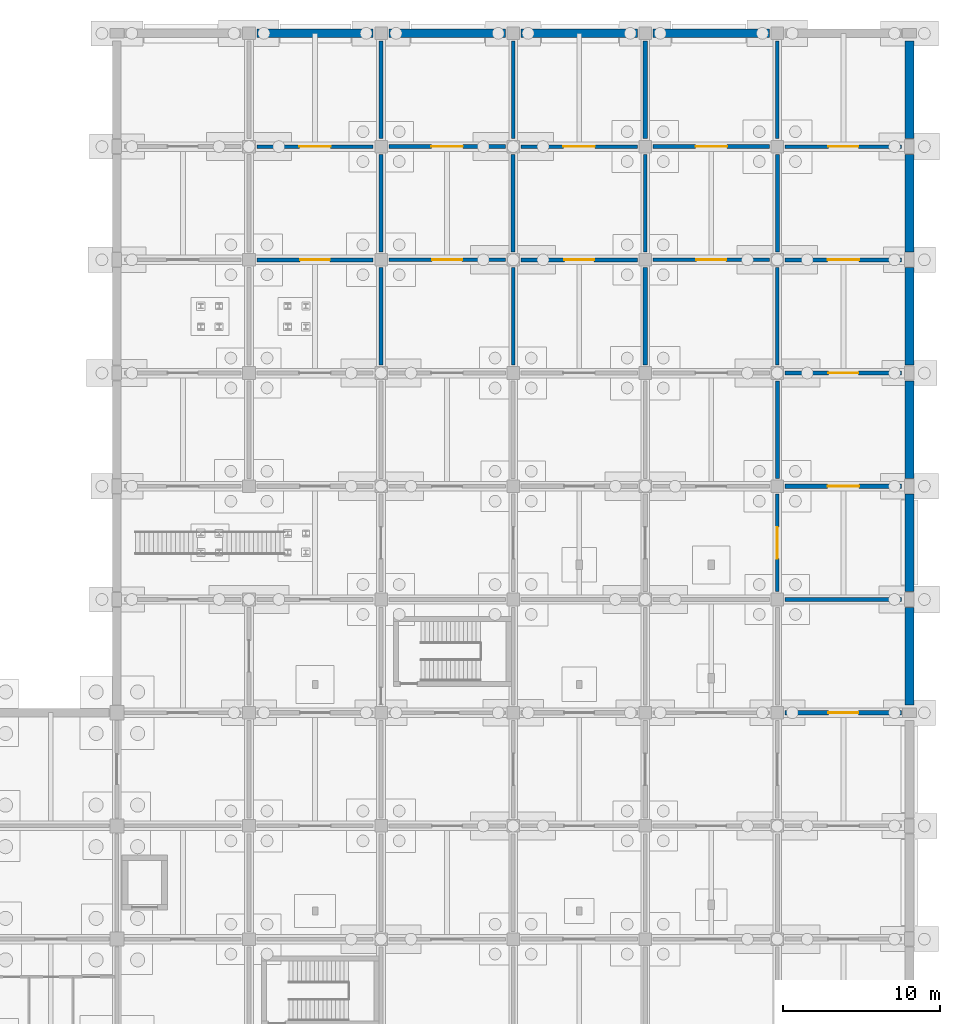
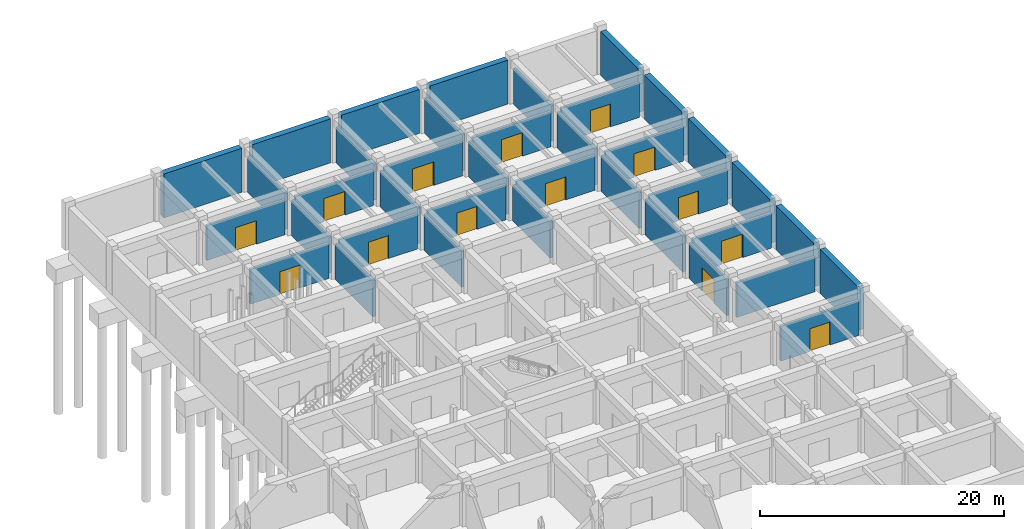
# One storey, part 35 of 38: 38 walls, 14 doors, 14 openings.
"""IFC4 building model written with IfcOpenShell, lengths in metres."""

from ifc_helpers import new_model, si_unit, derived_unit, direction, frame, frame_2d, origin, place, context, subcontext, project, spatial, rectangle, extrude, material, layer, layer_set, type_object, element, fill, save


model = new_model("IFC4")

# Units and contexts
model_context = context("Model", 3, precision=1e-05, world=origin(), true_north=direction((0.0, 1.0)))
body_context = subcontext(model_context, "Body", "Model", "MODEL_VIEW")
ifc_project = project(units=[si_unit("LENGTHUNIT", "METRE"), si_unit("AREAUNIT", "SQUARE_METRE"), si_unit("VOLUMEUNIT", "CUBIC_METRE"), si_unit("PLANEANGLEUNIT", "RADIAN"), si_unit("MASSUNIT", "GRAM", prefix="KILO"), derived_unit("THERMALTRANSMITTANCEUNIT", [(si_unit("MASSUNIT", "GRAM", prefix="KILO"), 1), (si_unit("TIMEUNIT", "SECOND"), -3), (si_unit("THERMODYNAMICTEMPERATUREUNIT", "KELVIN"), -1)])], contexts=[model_context])

# Site, building, storey
site_placement = place(None, origin())
site = spatial("IfcSite", under=ifc_project, at=site_placement, CompositionType="ELEMENT")
building_placement = place(site_placement, origin())
building = spatial("IfcBuilding", under=site, at=building_placement, Name="Veldstrom Oceanarium and Marine Research Institute", CompositionType="ELEMENT")
storey_placement = place(building_placement, frame((0.0, 0.0, -9.60009765625)))
storey = spatial("IfcBuildingStorey", under=building, at=storey_placement, Name="B02", CompositionType="ELEMENT", Elevation=-9.60009765625)

# Wall
ifc_material_1 = material(Name="Masonry Fire Compartment Wall", Category="masonry")
ifc_layer_1 = layer(ifc_material_1, 0.22998046875)
ifc_layer_set_1 = layer_set([ifc_layer_1], Name="ARC-WAL-PT1")
wall_type_1 = type_object("IfcWallType", Name="ARC-WAL-PT1", PredefinedType="PARTITIONING", material=ifc_layer_set_1)
wall_1_placement = place(storey_placement, frame((134.39990234375, 101.300048828125, 0.0), z_axis=(0.0, 0.0, 1.0), x_axis=(0.0, 1.0, 0.0)))
element("IfcWall", 1, at=wall_1_placement, inside=storey, type_object=wall_type_1, Name="Interior Partition PT1 B02-0223", PredefinedType="PARTITIONING", context=body_context, shape_type="SweptSolid", body=[
    extrude(rectangle(XDim=6.199951171875, YDim=0.22998046875, at=frame_2d((3.10009765625, 0.0))), origin(), (0.0, 0.0, 1.0), 3.59521484375),
])

# Wall, opening, door
wall_2_placement = place(storey_placement, frame((126.5, 108.0, 0.0), z_axis=(0.0, 0.0, 1.0), x_axis=(1.0, 0.0, 0.0)))
wall_2 = element("IfcWall", 2, at=wall_2_placement, inside=storey, type_object=wall_type_1, Name="Interior Partition PT1 B02-0224", PredefinedType="PARTITIONING", context=body_context, shape_type="SweptSolid", body=[
    extrude(rectangle(XDim=7.39990234375, YDim=0.22998046875, at=frame_2d((3.699951171875, 0.0))), origin(), (0.0, 0.0, 1.0), 3.4951171875),
])
opening_1_placement = place(wall_2_placement, frame((2.699951171875, 0.0, 0.0)))
opening_1 = element("IfcOpeningElement", 3, at=opening_1_placement, cuts=wall_2, Name="Opening D-B02-131", PredefinedType="OPENING", context=body_context, shape_type="SweptSolid", body=[
    extrude(rectangle(XDim=2.0, YDim=2.35009765625, at=frame_2d((1.0, 1.175048828125))), frame((0.0, 0.125, 0.0), z_axis=(0.0, -1.0, 0.0), x_axis=(1.0, 0.0, 0.0)), (0.0, 0.0, 1.0), 0.25),
])
ifc_material_2 = material(Name="Filtration Hall Double Door", Category="steel")
door_type_1 = type_object("IfcDoorType", Name="ARC-DOR-ID18", OperationType="DOUBLE_DOOR_SINGLE_SWING", PredefinedType="DOOR", material=ifc_material_2)
door_1_placement = place(opening_1_placement, frame((2.0, 0.0, 0.0), z_axis=(0.0, 0.0, 1.0), x_axis=(-1.0, 0.0, 0.0)))
door_1 = element("IfcDoor", 4, at=door_1_placement, inside=storey, type_object=door_type_1, Name="Interior Door D-B02-131", OperationType="DOUBLE_DOOR_SINGLE_SWING", OverallHeight=2.35009765625, OverallWidth=2.0, PredefinedType="DOOR", context=body_context, shape_type="SweptSolid", body=[
    extrude(rectangle(XDim=2.0, YDim=2.35009765625, at=frame_2d((1.0, 1.175048828125))), frame((0.0, 0.02490234375, 0.0), z_axis=(0.0, -1.0, 0.0), x_axis=(1.0, 0.0, 0.0)), (0.0, 0.0, 1.0), 0.050048828125),
])
fill(opening_1, door_1)

# Wall
wall_3_placement = place(storey_placement, frame((142.800048828125, 94.10009765625, 0.0), z_axis=(0.0, 0.0, 1.0), x_axis=(0.0, 1.0, 0.0)))
element("IfcWall", 5, at=wall_3_placement, inside=storey, type_object=wall_type_1, Name="Interior Partition PT1 B02-0240", PredefinedType="PARTITIONING", context=body_context, shape_type="SweptSolid", body=[
    extrude(rectangle(XDim=6.199951171875, YDim=0.22998046875, at=frame_2d((3.10009765625, 0.0))), origin(), (0.0, 0.0, 1.0), 3.59521484375),
])

# Wall, opening, door
wall_4_placement = place(storey_placement, frame((134.89990234375, 100.800048828125, 0.0), z_axis=(0.0, 0.0, 1.0), x_axis=(1.0, 0.0, 0.0)))
wall_4 = element("IfcWall", 6, at=wall_4_placement, inside=storey, type_object=wall_type_1, Name="Interior Partition PT1 B02-0241", PredefinedType="PARTITIONING", context=body_context, shape_type="SweptSolid", body=[
    extrude(rectangle(XDim=7.400146484375, YDim=0.22998046875, at=frame_2d((3.7001953125, 0.0))), origin(), (0.0, 0.0, 1.0), 3.4951171875),
])
opening_2_placement = place(wall_4_placement, frame((2.75, 0.0, 0.0)))
opening_2 = element("IfcOpeningElement", 7, at=opening_2_placement, cuts=wall_4, Name="Opening D-B02-140", PredefinedType="OPENING", context=body_context, shape_type="SweptSolid", body=[
    extrude(rectangle(XDim=1.89990234375, YDim=2.300048828125, at=frame_2d((0.949951171875, 1.14990234375))), frame((0.0, 0.125, 0.0), z_axis=(0.0, -1.0, 0.0), x_axis=(1.0, 0.0, 0.0)), (0.0, 0.0, 1.0), 0.25),
])
ifc_material_3 = material(Name="Plant Hall Equipment Door", Category="steel")
door_type_2 = type_object("IfcDoorType", Name="ARC-DOR-ID12", OperationType="DOUBLE_DOOR_SINGLE_SWING", PredefinedType="DOOR", material=ifc_material_3)
door_2_placement = place(opening_2_placement, frame((1.89990234375, 0.0, 0.0), z_axis=(0.0, 0.0, 1.0), x_axis=(-1.0, 0.0, 0.0)))
door_2 = element("IfcDoor", 8, at=door_2_placement, inside=storey, type_object=door_type_2, Name="Interior Door D-B02-140", OperationType="DOUBLE_DOOR_SINGLE_SWING", OverallHeight=2.300048828125, OverallWidth=1.89990234375, PredefinedType="DOOR", context=body_context, shape_type="SweptSolid", body=[
    extrude(rectangle(XDim=1.89990234375, YDim=2.300048828125, at=frame_2d((0.949951171875, 1.14990234375))), frame((0.0, 0.02490234375, 0.0), z_axis=(0.0, -1.0, 0.0), x_axis=(1.0, 0.0, 0.0)), (0.0, 0.0, 1.0), 0.050048828125),
])
fill(opening_2, door_2)

# Walls
for number, where, z_axis, x_axis, name in (
    (9, (142.800048828125, 108.5, 0.0), (0.0, 0.0, 1.0), (0.0, 1.0, 0.0), "Interior Partition PT1 B02-0244"),
    (10, (151.199951171875, 101.300048828125, 0.0), (0.0, 0.0, 1.0), (0.0, 1.0, 0.0), "Interior Partition PT1 B02-0261"),
):
    element("IfcWall", number, at=place(storey_placement, frame(where, z_axis=z_axis, x_axis=x_axis)), inside=storey, type_object=wall_type_1, Name=name, PredefinedType="PARTITIONING", context=body_context, shape_type="SweptSolid", body=[
        extrude(rectangle(XDim=6.199951171875, YDim=0.22998046875, at=frame_2d((3.10009765625, 0.0))), origin(), (0.0, 0.0, 1.0), 3.59521484375),
    ])

# Wall, opening, door
wall_5_placement = place(storey_placement, frame((143.300048828125, 108.0, 0.0), z_axis=(0.0, 0.0, 1.0), x_axis=(1.0, 0.0, 0.0)))
wall_5 = element("IfcWall", 11, at=wall_5_placement, inside=storey, type_object=wall_type_1, Name="Interior Partition PT1 B02-0262", PredefinedType="PARTITIONING", context=body_context, shape_type="SweptSolid", body=[
    extrude(rectangle(XDim=7.39990234375, YDim=0.22998046875, at=frame_2d((3.699951171875, 0.0))), origin(), (0.0, 0.0, 1.0), 3.4951171875),
])
opening_3_placement = place(wall_5_placement, frame((2.699951171875, 0.0, 0.0)))
opening_3 = element("IfcOpeningElement", 12, at=opening_3_placement, cuts=wall_5, Name="Opening D-B02-151", PredefinedType="OPENING", context=body_context, shape_type="SweptSolid", body=[
    extrude(rectangle(XDim=2.0, YDim=2.35009765625, at=frame_2d((1.0, 1.175048828125))), frame((0.0, 0.125, 0.0), z_axis=(0.0, -1.0, 0.0), x_axis=(1.0, 0.0, 0.0)), (0.0, 0.0, 1.0), 0.25),
])
door_3_placement = place(opening_3_placement, frame((2.0, 0.0, 0.0), z_axis=(0.0, 0.0, 1.0), x_axis=(-1.0, 0.0, 0.0)))
door_3 = element("IfcDoor", 13, at=door_3_placement, inside=storey, type_object=door_type_1, Name="Interior Door D-B02-151", OperationType="DOUBLE_DOOR_SINGLE_SWING", OverallHeight=2.35009765625, OverallWidth=2.0, PredefinedType="DOOR", context=body_context, shape_type="SweptSolid", body=[
    extrude(rectangle(XDim=2.0, YDim=2.35009765625, at=frame_2d((1.0, 1.175048828125))), frame((0.0, 0.02490234375, 0.0), z_axis=(0.0, -1.0, 0.0), x_axis=(1.0, 0.0, 0.0)), (0.0, 0.0, 1.0), 0.050048828125),
])
fill(opening_3, door_3)

wall_6_placement = place(storey_placement, frame((159.60009765625, 79.699951171875, 0.0), z_axis=(0.0, 0.0, 1.0), x_axis=(0.0, 1.0, 0.0)))
wall_6 = element("IfcWall", 14, at=wall_6_placement, inside=storey, type_object=wall_type_1, Name="Interior Partition PT1 B02-0274", PredefinedType="PARTITIONING", context=body_context, shape_type="SweptSolid", body=[
    extrude(rectangle(XDim=6.199951171875, YDim=0.22998046875, at=frame_2d((3.10009765625, 0.0))), origin(), (0.0, 0.0, 1.0), 3.59521484375),
])
opening_4_placement = place(wall_6_placement, frame((2.10009765625, 0.0, 0.0)))
opening_4 = element("IfcOpeningElement", 15, at=opening_4_placement, cuts=wall_6, Name="Opening D-B02-157", PredefinedType="OPENING", context=body_context, shape_type="SweptSolid", body=[
    extrude(rectangle(XDim=2.0, YDim=2.35009765625, at=frame_2d((1.0, 1.175048828125))), frame((0.0, 0.125, 0.0), z_axis=(0.0, -1.0, 0.0), x_axis=(1.0, 0.0, 0.0)), (0.0, 0.0, 1.0), 0.25),
])
door_4_placement = place(opening_4_placement, origin())
door_4 = element("IfcDoor", 16, at=door_4_placement, inside=storey, type_object=door_type_1, Name="Interior Door D-B02-157", OperationType="DOUBLE_DOOR_SINGLE_SWING", OverallHeight=2.35009765625, OverallWidth=2.0, PredefinedType="DOOR", context=body_context, shape_type="SweptSolid", body=[
    extrude(rectangle(XDim=2.0, YDim=2.35009765625, at=frame_2d((1.0, 1.175048828125))), frame((0.0, 0.02490234375, 0.0), z_axis=(0.0, -1.0, 0.0), x_axis=(1.0, 0.0, 0.0)), (0.0, 0.0, 1.0), 0.050048828125),
])
fill(opening_4, door_4)

# Wall
wall_7_placement = place(storey_placement, frame((159.60009765625, 94.10009765625, 0.0), z_axis=(0.0, 0.0, 1.0), x_axis=(0.0, 1.0, 0.0)))
element("IfcWall", 17, at=wall_7_placement, inside=storey, type_object=wall_type_1, Name="Interior Partition PT1 B02-0278", PredefinedType="PARTITIONING", context=body_context, shape_type="SweptSolid", body=[
    extrude(rectangle(XDim=6.199951171875, YDim=0.22998046875, at=frame_2d((3.10009765625, 0.0))), origin(), (0.0, 0.0, 1.0), 3.59521484375),
])

# Wall, opening, door
wall_8_placement = place(storey_placement, frame((151.699951171875, 100.800048828125, 0.0), z_axis=(0.0, 0.0, 1.0), x_axis=(1.0, 0.0, 0.0)))
wall_8 = element("IfcWall", 18, at=wall_8_placement, inside=storey, type_object=wall_type_1, Name="Interior Partition PT1 B02-0279", PredefinedType="PARTITIONING", context=body_context, shape_type="SweptSolid", body=[
    extrude(rectangle(XDim=7.400146484375, YDim=0.22998046875, at=frame_2d((3.7001953125, 0.0))), origin(), (0.0, 0.0, 1.0), 3.4951171875),
])
opening_5_placement = place(wall_8_placement, frame((2.75, 0.0, 0.0)))
opening_5 = element("IfcOpeningElement", 19, at=opening_5_placement, cuts=wall_8, Name="Opening D-B02-160", PredefinedType="OPENING", context=body_context, shape_type="SweptSolid", body=[
    extrude(rectangle(XDim=1.89990234375, YDim=2.300048828125, at=frame_2d((0.949951171875, 1.14990234375))), frame((0.0, 0.125, 0.0), z_axis=(0.0, -1.0, 0.0), x_axis=(1.0, 0.0, 0.0)), (0.0, 0.0, 1.0), 0.25),
])
door_5_placement = place(opening_5_placement, frame((1.89990234375, 0.0, 0.0), z_axis=(0.0, 0.0, 1.0), x_axis=(-1.0, 0.0, 0.0)))
door_5 = element("IfcDoor", 20, at=door_5_placement, inside=storey, type_object=door_type_2, Name="Interior Door D-B02-160", OperationType="DOUBLE_DOOR_SINGLE_SWING", OverallHeight=2.300048828125, OverallWidth=1.89990234375, PredefinedType="DOOR", context=body_context, shape_type="SweptSolid", body=[
    extrude(rectangle(XDim=1.89990234375, YDim=2.300048828125, at=frame_2d((0.949951171875, 1.14990234375))), frame((0.0, 0.02490234375, 0.0), z_axis=(0.0, -1.0, 0.0), x_axis=(1.0, 0.0, 0.0)), (0.0, 0.0, 1.0), 0.050048828125),
])
fill(opening_5, door_5)

# Walls
wall_9_placement = place(storey_placement, frame((159.60009765625, 108.5, 0.0), z_axis=(0.0, 0.0, 1.0), x_axis=(0.0, 1.0, 0.0)))
element("IfcWall", 21, at=wall_9_placement, inside=storey, type_object=wall_type_1, Name="Interior Partition PT1 B02-0282", PredefinedType="PARTITIONING", context=body_context, shape_type="SweptSolid", body=[
    extrude(rectangle(XDim=6.199951171875, YDim=0.22998046875, at=frame_2d((3.10009765625, 0.0))), origin(), (0.0, 0.0, 1.0), 3.59521484375),
])
wall_10_placement = place(storey_placement, frame((160.10009765625, 79.199951171875, 0.0), z_axis=(0.0, 0.0, 1.0), x_axis=(1.0, 0.0, 0.0)))
element("IfcWall", 22, at=wall_10_placement, inside=storey, type_object=wall_type_1, Name="Interior Partition PT1 B02-0287", PredefinedType="PARTITIONING", context=body_context, shape_type="SweptSolid", body=[
    extrude(rectangle(XDim=7.39990234375, YDim=0.22998046875, at=frame_2d((3.699951171875, 0.0))), origin(), (0.0, 0.0, 1.0), 3.4951171875),
])

# Wall, opening, door
wall_11_placement = place(storey_placement, frame((160.10009765625, 93.60009765625, 0.0), z_axis=(0.0, 0.0, 1.0), x_axis=(1.0, 0.0, 0.0)))
wall_11 = element("IfcWall", 23, at=wall_11_placement, inside=storey, type_object=wall_type_1, Name="Interior Partition PT1 B02-0289", PredefinedType="PARTITIONING", context=body_context, shape_type="SweptSolid", body=[
    extrude(rectangle(XDim=7.39990234375, YDim=0.22998046875, at=frame_2d((3.699951171875, 0.0))), origin(), (0.0, 0.0, 1.0), 3.4951171875),
])
opening_6_placement = place(wall_11_placement, frame((2.75, 0.0, 0.0)))
opening_6 = element("IfcOpeningElement", 24, at=opening_6_placement, cuts=wall_11, Name="Opening D-B02-166", PredefinedType="OPENING", context=body_context, shape_type="SweptSolid", body=[
    extrude(rectangle(XDim=1.89990234375, YDim=2.300048828125, at=frame_2d((0.949951171875, 1.14990234375))), frame((0.0, 0.125, 0.0), z_axis=(0.0, -1.0, 0.0), x_axis=(1.0, 0.0, 0.0)), (0.0, 0.0, 1.0), 0.25),
])
door_6_placement = place(opening_6_placement, frame((1.89990234375, 0.0, 0.0), z_axis=(0.0, 0.0, 1.0), x_axis=(-1.0, 0.0, 0.0)))
door_6 = element("IfcDoor", 25, at=door_6_placement, inside=storey, type_object=door_type_2, Name="Interior Door D-B02-166", OperationType="DOUBLE_DOOR_SINGLE_SWING", OverallHeight=2.300048828125, OverallWidth=1.89990234375, PredefinedType="DOOR", context=body_context, shape_type="SweptSolid", body=[
    extrude(rectangle(XDim=1.89990234375, YDim=2.300048828125, at=frame_2d((0.949951171875, 1.14990234375))), frame((0.0, 0.02490234375, 0.0), z_axis=(0.0, -1.0, 0.0), x_axis=(1.0, 0.0, 0.0)), (0.0, 0.0, 1.0), 0.050048828125),
])
fill(opening_6, door_6)

wall_12_placement = place(storey_placement, frame((160.10009765625, 108.0, 0.0), z_axis=(0.0, 0.0, 1.0), x_axis=(1.0, 0.0, 0.0)))
wall_12 = element("IfcWall", 26, at=wall_12_placement, inside=storey, type_object=wall_type_1, Name="Interior Partition PT1 B02-0291", PredefinedType="PARTITIONING", context=body_context, shape_type="SweptSolid", body=[
    extrude(rectangle(XDim=7.39990234375, YDim=0.22998046875, at=frame_2d((3.699951171875, 0.0))), origin(), (0.0, 0.0, 1.0), 3.4951171875),
])
opening_7_placement = place(wall_12_placement, frame((2.75, 0.0, 0.0)))
opening_7 = element("IfcOpeningElement", 27, at=opening_7_placement, cuts=wall_12, Name="Opening D-B02-168", PredefinedType="OPENING", context=body_context, shape_type="SweptSolid", body=[
    extrude(rectangle(XDim=1.89990234375, YDim=2.300048828125, at=frame_2d((0.949951171875, 1.14990234375))), frame((0.0, 0.125, 0.0), z_axis=(0.0, -1.0, 0.0), x_axis=(1.0, 0.0, 0.0)), (0.0, 0.0, 1.0), 0.25),
])
door_7_placement = place(opening_7_placement, frame((1.89990234375, 0.0, 0.0), z_axis=(0.0, 0.0, 1.0), x_axis=(-1.0, 0.0, 0.0)))
door_7 = element("IfcDoor", 28, at=door_7_placement, inside=storey, type_object=door_type_2, Name="Interior Door D-B02-168", OperationType="DOUBLE_DOOR_SINGLE_SWING", OverallHeight=2.300048828125, OverallWidth=1.89990234375, PredefinedType="DOOR", context=body_context, shape_type="SweptSolid", body=[
    extrude(rectangle(XDim=1.89990234375, YDim=2.300048828125, at=frame_2d((0.949951171875, 1.14990234375))), frame((0.0, 0.02490234375, 0.0), z_axis=(0.0, -1.0, 0.0), x_axis=(1.0, 0.0, 0.0)), (0.0, 0.0, 1.0), 0.050048828125),
])
fill(opening_7, door_7)

# Wall
ifc_material_4 = material(Name="Plant Acoustic Masonry Wall", Category="masonry")
ifc_layer_2 = layer(ifc_material_4, 0.260009765625)
ifc_layer_set_2 = layer_set([ifc_layer_2], Name="ARC-WAL-PT8")
wall_type_2 = type_object("IfcWallType", Name="ARC-WAL-PT8", PredefinedType="PARTITIONING", material=ifc_layer_set_2)
wall_13_placement = place(storey_placement, frame((134.39990234375, 94.10009765625, 0.0), z_axis=(0.0, 0.0, 1.0), x_axis=(0.0, 1.0, 0.0)))
element("IfcWall", 29, at=wall_13_placement, inside=storey, type_object=wall_type_2, Name="Interior Partition PT8 B02-0221", PredefinedType="PARTITIONING", context=body_context, shape_type="SweptSolid", body=[
    extrude(rectangle(XDim=6.199951171875, YDim=0.260009765625, at=frame_2d((3.10009765625, 0.0))), origin(), (0.0, 0.0, 1.0), 3.59521484375),
])

# Wall, opening, door
wall_14_placement = place(storey_placement, frame((126.5, 100.800048828125, 0.0), z_axis=(0.0, 0.0, 1.0), x_axis=(1.0, 0.0, 0.0)))
wall_14 = element("IfcWall", 30, at=wall_14_placement, inside=storey, type_object=wall_type_2, Name="Interior Partition PT8 B02-0222", PredefinedType="PARTITIONING", context=body_context, shape_type="SweptSolid", body=[
    extrude(rectangle(XDim=7.39990234375, YDim=0.260009765625, at=frame_2d((3.699951171875, 0.0))), origin(), (0.0, 0.0, 1.0), 3.4951171875),
])
opening_8_placement = place(wall_14_placement, frame((2.75, 0.0, 0.0)))
opening_8 = element("IfcOpeningElement", 31, at=opening_8_placement, cuts=wall_14, Name="Opening D-B02-130", PredefinedType="OPENING", context=body_context, shape_type="SweptSolid", body=[
    extrude(rectangle(XDim=1.89990234375, YDim=2.300048828125, at=frame_2d((0.949951171875, 1.14990234375))), frame((0.0, 0.139892578125, 0.0), z_axis=(0.0, -1.0, 0.0), x_axis=(1.0, 0.0, 0.0)), (0.0, 0.0, 1.0), 0.280029296875),
])
door_8_placement = place(opening_8_placement, origin())
door_8 = element("IfcDoor", 32, at=door_8_placement, inside=storey, type_object=door_type_2, Name="Interior Door D-B02-130", OperationType="DOUBLE_DOOR_SINGLE_SWING", OverallHeight=2.300048828125, OverallWidth=1.89990234375, PredefinedType="DOOR", context=body_context, shape_type="SweptSolid", body=[
    extrude(rectangle(XDim=1.89990234375, YDim=2.300048828125, at=frame_2d((0.949951171875, 1.14990234375))), frame((0.0, 0.02490234375, 0.0), z_axis=(0.0, -1.0, 0.0), x_axis=(1.0, 0.0, 0.0)), (0.0, 0.0, 1.0), 0.050048828125),
])
fill(opening_8, door_8)

# Walls
for number, where, z_axis, x_axis, name in (
    (33, (134.39990234375, 108.5, 0.0), (0.0, 0.0, 1.0), (0.0, 1.0, 0.0), "Interior Partition PT8 B02-0225"),
    (34, (142.800048828125, 101.300048828125, 0.0), (0.0, 0.0, 1.0), (0.0, 1.0, 0.0), "Interior Partition PT8 B02-0242"),
):
    element("IfcWall", number, at=place(storey_placement, frame(where, z_axis=z_axis, x_axis=x_axis)), inside=storey, type_object=wall_type_2, Name=name, PredefinedType="PARTITIONING", context=body_context, shape_type="SweptSolid", body=[
        extrude(rectangle(XDim=6.199951171875, YDim=0.260009765625, at=frame_2d((3.10009765625, 0.0))), origin(), (0.0, 0.0, 1.0), 3.59521484375),
    ])

# Wall, opening, door
wall_15_placement = place(storey_placement, frame((134.89990234375, 108.0, 0.0), z_axis=(0.0, 0.0, 1.0), x_axis=(1.0, 0.0, 0.0)))
wall_15 = element("IfcWall", 35, at=wall_15_placement, inside=storey, type_object=wall_type_2, Name="Interior Partition PT8 B02-0243", PredefinedType="PARTITIONING", context=body_context, shape_type="SweptSolid", body=[
    extrude(rectangle(XDim=7.400146484375, YDim=0.260009765625, at=frame_2d((3.7001953125, 0.0))), origin(), (0.0, 0.0, 1.0), 3.4951171875),
])
opening_9_placement = place(wall_15_placement, frame((2.699951171875, 0.0, 0.0)))
opening_9 = element("IfcOpeningElement", 36, at=opening_9_placement, cuts=wall_15, Name="Opening D-B02-141", PredefinedType="OPENING", context=body_context, shape_type="SweptSolid", body=[
    extrude(rectangle(XDim=2.0, YDim=2.35009765625, at=frame_2d((1.0, 1.175048828125))), frame((0.0, 0.139892578125, 0.0), z_axis=(0.0, -1.0, 0.0), x_axis=(1.0, 0.0, 0.0)), (0.0, 0.0, 1.0), 0.280029296875),
])
door_9_placement = place(opening_9_placement, origin())
door_9 = element("IfcDoor", 37, at=door_9_placement, inside=storey, type_object=door_type_1, Name="Interior Door D-B02-141", OperationType="DOUBLE_DOOR_SINGLE_SWING", OverallHeight=2.35009765625, OverallWidth=2.0, PredefinedType="DOOR", context=body_context, shape_type="SweptSolid", body=[
    extrude(rectangle(XDim=2.0, YDim=2.35009765625, at=frame_2d((1.0, 1.175048828125))), frame((0.0, 0.02490234375, 0.0), z_axis=(0.0, -1.0, 0.0), x_axis=(1.0, 0.0, 0.0)), (0.0, 0.0, 1.0), 0.050048828125),
])
fill(opening_9, door_9)

# Wall
wall_16_placement = place(storey_placement, frame((151.199951171875, 94.10009765625, 0.0), z_axis=(0.0, 0.0, 1.0), x_axis=(0.0, 1.0, 0.0)))
element("IfcWall", 38, at=wall_16_placement, inside=storey, type_object=wall_type_2, Name="Interior Partition PT8 B02-0259", PredefinedType="PARTITIONING", context=body_context, shape_type="SweptSolid", body=[
    extrude(rectangle(XDim=6.199951171875, YDim=0.260009765625, at=frame_2d((3.10009765625, 0.0))), origin(), (0.0, 0.0, 1.0), 3.59521484375),
])

# Wall, opening, door
wall_17_placement = place(storey_placement, frame((143.300048828125, 100.800048828125, 0.0), z_axis=(0.0, 0.0, 1.0), x_axis=(1.0, 0.0, 0.0)))
wall_17 = element("IfcWall", 39, at=wall_17_placement, inside=storey, type_object=wall_type_2, Name="Interior Partition PT8 B02-0260", PredefinedType="PARTITIONING", context=body_context, shape_type="SweptSolid", body=[
    extrude(rectangle(XDim=7.39990234375, YDim=0.260009765625, at=frame_2d((3.699951171875, 0.0))), origin(), (0.0, 0.0, 1.0), 3.4951171875),
])
opening_10_placement = place(wall_17_placement, frame((2.75, 0.0, 0.0)))
opening_10 = element("IfcOpeningElement", 40, at=opening_10_placement, cuts=wall_17, Name="Opening D-B02-150", PredefinedType="OPENING", context=body_context, shape_type="SweptSolid", body=[
    extrude(rectangle(XDim=1.89990234375, YDim=2.300048828125, at=frame_2d((0.949951171875, 1.14990234375))), frame((0.0, 0.139892578125, 0.0), z_axis=(0.0, -1.0, 0.0), x_axis=(1.0, 0.0, 0.0)), (0.0, 0.0, 1.0), 0.280029296875),
])
door_10_placement = place(opening_10_placement, origin())
door_10 = element("IfcDoor", 41, at=door_10_placement, inside=storey, type_object=door_type_2, Name="Interior Door D-B02-150", OperationType="DOUBLE_DOOR_SINGLE_SWING", OverallHeight=2.300048828125, OverallWidth=1.89990234375, PredefinedType="DOOR", context=body_context, shape_type="SweptSolid", body=[
    extrude(rectangle(XDim=1.89990234375, YDim=2.300048828125, at=frame_2d((0.949951171875, 1.14990234375))), frame((0.0, 0.02490234375, 0.0), z_axis=(0.0, -1.0, 0.0), x_axis=(1.0, 0.0, 0.0)), (0.0, 0.0, 1.0), 0.050048828125),
])
fill(opening_10, door_10)

# Walls
wall_18_placement = place(storey_placement, frame((151.199951171875, 108.5, 0.0), z_axis=(0.0, 0.0, 1.0), x_axis=(0.0, 1.0, 0.0)))
element("IfcWall", 42, at=wall_18_placement, inside=storey, type_object=wall_type_2, Name="Interior Partition PT8 B02-0263", PredefinedType="PARTITIONING", context=body_context, shape_type="SweptSolid", body=[
    extrude(rectangle(XDim=6.199951171875, YDim=0.260009765625, at=frame_2d((3.10009765625, 0.0))), origin(), (0.0, 0.0, 1.0), 3.59521484375),
])
wall_19_placement = place(storey_placement, frame((159.60009765625, 86.89990234375, 0.0), z_axis=(0.0, 0.0, 1.0), x_axis=(0.0, 1.0, 0.0)))
element("IfcWall", 43, at=wall_19_placement, inside=storey, type_object=wall_type_2, Name="Interior Partition PT8 B02-0276", PredefinedType="PARTITIONING", context=body_context, shape_type="SweptSolid", body=[
    extrude(rectangle(XDim=6.2001953125, YDim=0.260009765625, at=frame_2d((3.10009765625, 0.0))), origin(), (0.0, 0.0, 1.0), 3.59521484375),
])
wall_20_placement = place(storey_placement, frame((159.60009765625, 101.300048828125, 0.0), z_axis=(0.0, 0.0, 1.0), x_axis=(0.0, 1.0, 0.0)))
element("IfcWall", 44, at=wall_20_placement, inside=storey, type_object=wall_type_2, Name="Interior Partition PT8 B02-0280", PredefinedType="PARTITIONING", context=body_context, shape_type="SweptSolid", body=[
    extrude(rectangle(XDim=6.199951171875, YDim=0.260009765625, at=frame_2d((3.10009765625, 0.0))), origin(), (0.0, 0.0, 1.0), 3.59521484375),
])

# Wall, opening, door
wall_21_placement = place(storey_placement, frame((151.699951171875, 108.0, 0.0), z_axis=(0.0, 0.0, 1.0), x_axis=(1.0, 0.0, 0.0)))
wall_21 = element("IfcWall", 45, at=wall_21_placement, inside=storey, type_object=wall_type_2, Name="Interior Partition PT8 B02-0281", PredefinedType="PARTITIONING", context=body_context, shape_type="SweptSolid", body=[
    extrude(rectangle(XDim=7.400146484375, YDim=0.260009765625, at=frame_2d((3.7001953125, 0.0))), origin(), (0.0, 0.0, 1.0), 3.4951171875),
])
opening_11_placement = place(wall_21_placement, frame((2.699951171875, 0.0, 0.0)))
opening_11 = element("IfcOpeningElement", 46, at=opening_11_placement, cuts=wall_21, Name="Opening D-B02-161", PredefinedType="OPENING", context=body_context, shape_type="SweptSolid", body=[
    extrude(rectangle(XDim=2.0, YDim=2.35009765625, at=frame_2d((1.0, 1.175048828125))), frame((0.0, 0.139892578125, 0.0), z_axis=(0.0, -1.0, 0.0), x_axis=(1.0, 0.0, 0.0)), (0.0, 0.0, 1.0), 0.280029296875),
])
door_11_placement = place(opening_11_placement, origin())
door_11 = element("IfcDoor", 47, at=door_11_placement, inside=storey, type_object=door_type_1, Name="Interior Door D-B02-161", OperationType="DOUBLE_DOOR_SINGLE_SWING", OverallHeight=2.35009765625, OverallWidth=2.0, PredefinedType="DOOR", context=body_context, shape_type="SweptSolid", body=[
    extrude(rectangle(XDim=2.0, YDim=2.35009765625, at=frame_2d((1.0, 1.175048828125))), frame((0.0, 0.02490234375, 0.0), z_axis=(0.0, -1.0, 0.0), x_axis=(1.0, 0.0, 0.0)), (0.0, 0.0, 1.0), 0.050048828125),
])
fill(opening_11, door_11)

wall_22_placement = place(storey_placement, frame((160.10009765625, 72.0, 0.0), z_axis=(0.0, 0.0, 1.0), x_axis=(1.0, 0.0, 0.0)))
wall_22 = element("IfcWall", 48, at=wall_22_placement, inside=storey, type_object=wall_type_2, Name="Interior Partition PT8 B02-0286", PredefinedType="PARTITIONING", context=body_context, shape_type="SweptSolid", body=[
    extrude(rectangle(XDim=7.39990234375, YDim=0.260009765625, at=frame_2d((3.699951171875, 0.0))), origin(), (0.0, 0.0, 1.0), 3.4951171875),
])
opening_12_placement = place(wall_22_placement, frame((2.75, 0.0, 0.0)))
opening_12 = element("IfcOpeningElement", 49, at=opening_12_placement, cuts=wall_22, Name="Opening D-B02-164", PredefinedType="OPENING", context=body_context, shape_type="SweptSolid", body=[
    extrude(rectangle(XDim=1.89990234375, YDim=2.300048828125, at=frame_2d((0.949951171875, 1.14990234375))), frame((0.0, 0.139892578125, 0.0), z_axis=(0.0, -1.0, 0.0), x_axis=(1.0, 0.0, 0.0)), (0.0, 0.0, 1.0), 0.280029296875),
])
door_12_placement = place(opening_12_placement, origin())
door_12 = element("IfcDoor", 50, at=door_12_placement, inside=storey, type_object=door_type_2, Name="Interior Door D-B02-164", OperationType="DOUBLE_DOOR_SINGLE_SWING", OverallHeight=2.300048828125, OverallWidth=1.89990234375, PredefinedType="DOOR", context=body_context, shape_type="SweptSolid", body=[
    extrude(rectangle(XDim=1.89990234375, YDim=2.300048828125, at=frame_2d((0.949951171875, 1.14990234375))), frame((0.0, 0.02490234375, 0.0), z_axis=(0.0, -1.0, 0.0), x_axis=(1.0, 0.0, 0.0)), (0.0, 0.0, 1.0), 0.050048828125),
])
fill(opening_12, door_12)

wall_23_placement = place(storey_placement, frame((160.10009765625, 86.39990234375, 0.0), z_axis=(0.0, 0.0, 1.0), x_axis=(1.0, 0.0, 0.0)))
wall_23 = element("IfcWall", 51, at=wall_23_placement, inside=storey, type_object=wall_type_2, Name="Interior Partition PT8 B02-0288", PredefinedType="PARTITIONING", context=body_context, shape_type="SweptSolid", body=[
    extrude(rectangle(XDim=7.39990234375, YDim=0.260009765625, at=frame_2d((3.699951171875, 0.0))), origin(), (0.0, 0.0, 1.0), 3.4951171875),
])
opening_13_placement = place(wall_23_placement, frame((2.699951171875, 0.0, 0.0)))
opening_13 = element("IfcOpeningElement", 52, at=opening_13_placement, cuts=wall_23, Name="Opening D-B02-165", PredefinedType="OPENING", context=body_context, shape_type="SweptSolid", body=[
    extrude(rectangle(XDim=2.0, YDim=2.35009765625, at=frame_2d((1.0, 1.175048828125))), frame((0.0, 0.139892578125, 0.0), z_axis=(0.0, -1.0, 0.0), x_axis=(1.0, 0.0, 0.0)), (0.0, 0.0, 1.0), 0.280029296875),
])
door_13_placement = place(opening_13_placement, origin())
door_13 = element("IfcDoor", 53, at=door_13_placement, inside=storey, type_object=door_type_1, Name="Interior Door D-B02-165", OperationType="DOUBLE_DOOR_SINGLE_SWING", OverallHeight=2.35009765625, OverallWidth=2.0, PredefinedType="DOOR", context=body_context, shape_type="SweptSolid", body=[
    extrude(rectangle(XDim=2.0, YDim=2.35009765625, at=frame_2d((1.0, 1.175048828125))), frame((0.0, 0.02490234375, 0.0), z_axis=(0.0, -1.0, 0.0), x_axis=(1.0, 0.0, 0.0)), (0.0, 0.0, 1.0), 0.050048828125),
])
fill(opening_13, door_13)

wall_24_placement = place(storey_placement, frame((160.10009765625, 100.800048828125, 0.0), z_axis=(0.0, 0.0, 1.0), x_axis=(1.0, 0.0, 0.0)))
wall_24 = element("IfcWall", 54, at=wall_24_placement, inside=storey, type_object=wall_type_2, Name="Interior Partition PT8 B02-0290", PredefinedType="PARTITIONING", context=body_context, shape_type="SweptSolid", body=[
    extrude(rectangle(XDim=7.39990234375, YDim=0.260009765625, at=frame_2d((3.699951171875, 0.0))), origin(), (0.0, 0.0, 1.0), 3.4951171875),
])
opening_14_placement = place(wall_24_placement, frame((2.699951171875, 0.0, 0.0)))
opening_14 = element("IfcOpeningElement", 55, at=opening_14_placement, cuts=wall_24, Name="Opening D-B02-167", PredefinedType="OPENING", context=body_context, shape_type="SweptSolid", body=[
    extrude(rectangle(XDim=2.0, YDim=2.35009765625, at=frame_2d((1.0, 1.175048828125))), frame((0.0, 0.139892578125, 0.0), z_axis=(0.0, -1.0, 0.0), x_axis=(1.0, 0.0, 0.0)), (0.0, 0.0, 1.0), 0.280029296875),
])
door_14_placement = place(opening_14_placement, origin())
door_14 = element("IfcDoor", 56, at=door_14_placement, inside=storey, type_object=door_type_1, Name="Interior Door D-B02-167", OperationType="DOUBLE_DOOR_SINGLE_SWING", OverallHeight=2.35009765625, OverallWidth=2.0, PredefinedType="DOOR", context=body_context, shape_type="SweptSolid", body=[
    extrude(rectangle(XDim=2.0, YDim=2.35009765625, at=frame_2d((1.0, 1.175048828125))), frame((0.0, 0.02490234375, 0.0), z_axis=(0.0, -1.0, 0.0), x_axis=(1.0, 0.0, 0.0)), (0.0, 0.0, 1.0), 0.050048828125),
])
fill(opening_14, door_14)

# Walls
ifc_material_5 = material(Name="Concrete C40/50", Category="concrete")
ifc_layer_3 = layer(ifc_material_5, 0.550048828125)
ifc_layer_set_3 = layer_set([ifc_layer_3], Name="STR-WAL-WR1")
wall_type_3 = type_object("IfcWallType", Name="STR-WAL-WR1", PredefinedType="USERDEFINED", material=ifc_layer_set_3)
wall_25_placement = place(storey_placement, frame((126.5, 115.199951171875, 0.0), z_axis=(0.0, 0.0, 1.0), x_axis=(1.0, 0.0, 0.0)))
element("IfcWall", 57, at=wall_25_placement, inside=storey, type_object=wall_type_3, Name="Basement Retaining Wall WR1-B02-054", ObjectType="Retaining wall", PredefinedType="USERDEFINED", context=body_context, shape_type="SweptSolid", body=[
    extrude(rectangle(XDim=7.39990234375, YDim=0.550048828125, at=frame_2d((3.699951171875, 0.0))), origin(), (0.0, 0.0, 1.0), 4.400146484375),
])
wall_26_placement = place(storey_placement, frame((134.89990234375, 115.199951171875, 0.0), z_axis=(0.0, 0.0, 1.0), x_axis=(1.0, 0.0, 0.0)))
element("IfcWall", 58, at=wall_26_placement, inside=storey, type_object=wall_type_3, Name="Basement Retaining Wall WR1-B02-056", ObjectType="Retaining wall", PredefinedType="USERDEFINED", context=body_context, shape_type="SweptSolid", body=[
    extrude(rectangle(XDim=7.400146484375, YDim=0.550048828125, at=frame_2d((3.7001953125, 0.0))), origin(), (0.0, 0.0, 1.0), 4.400146484375),
])
wall_27_placement = place(storey_placement, frame((143.300048828125, 115.199951171875, 0.0), z_axis=(0.0, 0.0, 1.0), x_axis=(1.0, 0.0, 0.0)))
element("IfcWall", 59, at=wall_27_placement, inside=storey, type_object=wall_type_3, Name="Basement Retaining Wall WR1-B02-058", ObjectType="Retaining wall", PredefinedType="USERDEFINED", context=body_context, shape_type="SweptSolid", body=[
    extrude(rectangle(XDim=7.39990234375, YDim=0.550048828125, at=frame_2d((3.699951171875, 0.0))), origin(), (0.0, 0.0, 1.0), 4.400146484375),
])
wall_28_placement = place(storey_placement, frame((151.699951171875, 115.199951171875, 0.0), z_axis=(0.0, 0.0, 1.0), x_axis=(1.0, 0.0, 0.0)))
element("IfcWall", 60, at=wall_28_placement, inside=storey, type_object=wall_type_3, Name="Basement Retaining Wall WR1-B02-060", ObjectType="Retaining wall", PredefinedType="USERDEFINED", context=body_context, shape_type="SweptSolid", body=[
    extrude(rectangle(XDim=7.400146484375, YDim=0.550048828125, at=frame_2d((3.7001953125, 0.0))), origin(), (0.0, 0.0, 1.0), 4.400146484375),
])
for number, where, z_axis, x_axis, name in (
    (61, (168.0, 72.5, 0.0), (0.0, 0.0, 1.0), (0.0, 1.0, 0.0), "Basement Retaining Wall WR1-B02-066"),
    (62, (168.0, 79.699951171875, 0.0), (0.0, 0.0, 1.0), (0.0, 1.0, 0.0), "Basement Retaining Wall WR1-B02-067"),
):
    element("IfcWall", number, at=place(storey_placement, frame(where, z_axis=z_axis, x_axis=x_axis)), inside=storey, type_object=wall_type_3, Name=name, ObjectType="Retaining wall", PredefinedType="USERDEFINED", context=body_context, shape_type="SweptSolid", body=[
        extrude(rectangle(XDim=6.199951171875, YDim=0.550048828125, at=frame_2d((3.10009765625, 0.0))), origin(), (0.0, 0.0, 1.0), 4.400146484375),
    ])
wall_29_placement = place(storey_placement, frame((168.0, 86.89990234375, 0.0), z_axis=(0.0, 0.0, 1.0), x_axis=(0.0, 1.0, 0.0)))
element("IfcWall", 63, at=wall_29_placement, inside=storey, type_object=wall_type_3, Name="Basement Retaining Wall WR1-B02-068", ObjectType="Retaining wall", PredefinedType="USERDEFINED", context=body_context, shape_type="SweptSolid", body=[
    extrude(rectangle(XDim=6.2001953125, YDim=0.550048828125, at=frame_2d((3.10009765625, 0.0))), origin(), (0.0, 0.0, 1.0), 4.400146484375),
])
for number, where, z_axis, x_axis, name in (
    (64, (168.0, 94.10009765625, 0.0), (0.0, 0.0, 1.0), (0.0, 1.0, 0.0), "Basement Retaining Wall WR1-B02-069"),
    (65, (168.0, 101.300048828125, 0.0), (0.0, 0.0, 1.0), (0.0, 1.0, 0.0), "Basement Retaining Wall WR1-B02-070"),
    (66, (168.0, 108.5, 0.0), (0.0, 0.0, 1.0), (0.0, 1.0, 0.0), "Basement Retaining Wall WR1-B02-072"),
):
    element("IfcWall", number, at=place(storey_placement, frame(where, z_axis=z_axis, x_axis=x_axis)), inside=storey, type_object=wall_type_3, Name=name, ObjectType="Retaining wall", PredefinedType="USERDEFINED", context=body_context, shape_type="SweptSolid", body=[
        extrude(rectangle(XDim=6.199951171875, YDim=0.550048828125, at=frame_2d((3.10009765625, 0.0))), origin(), (0.0, 0.0, 1.0), 4.400146484375),
    ])

save(model, "model.ifc")
